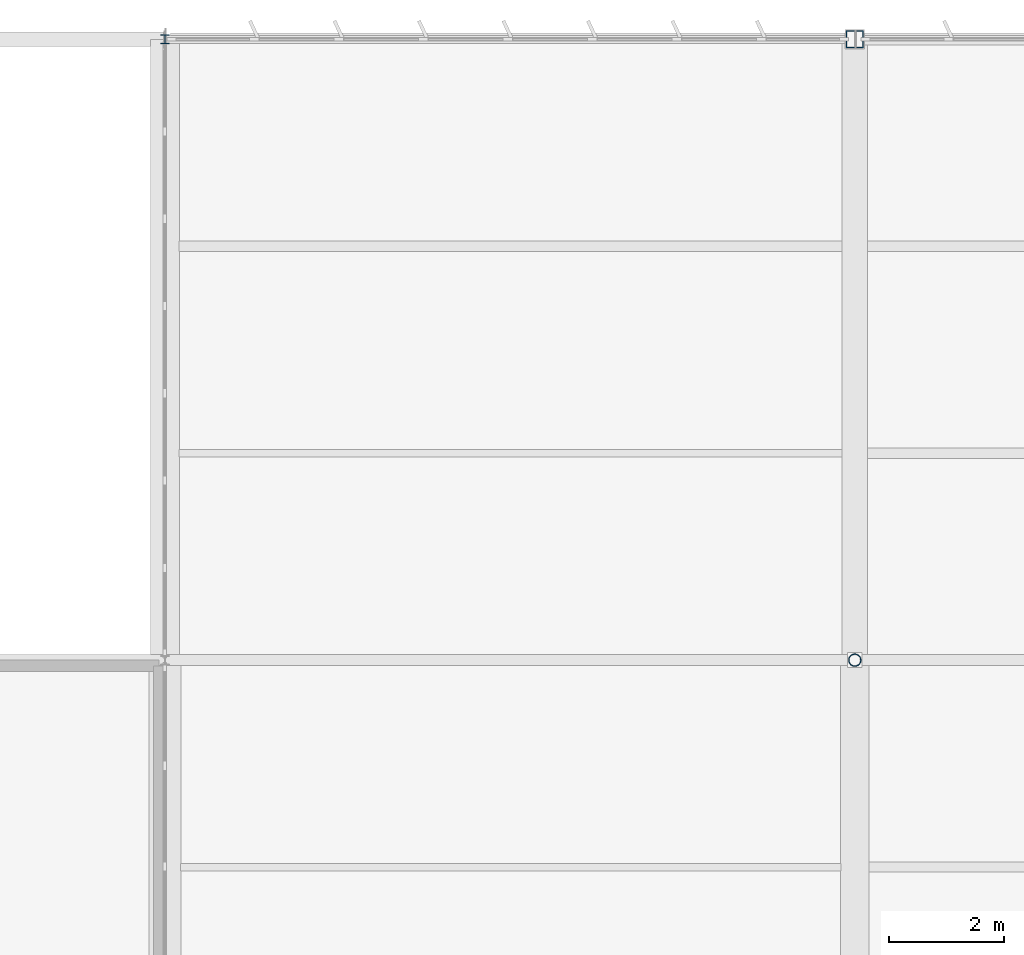
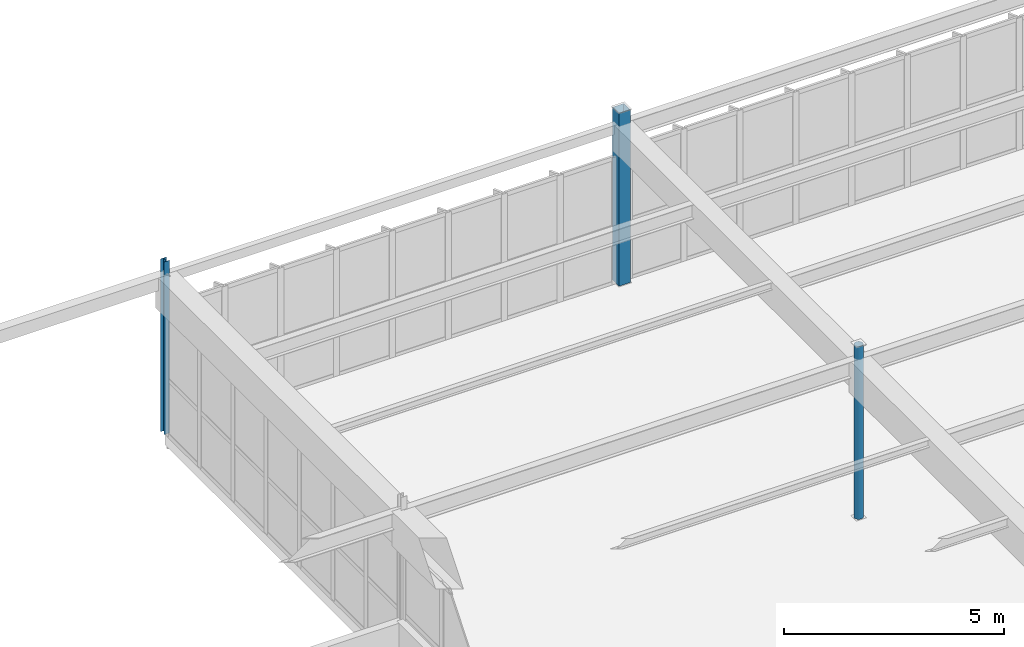
# One storey, part 57 of 226: 3 columns.
"""IFC4 building model written with IfcOpenShell, lengths in metres."""

from ifc_helpers import new_model, si_unit, direction, frame, origin, origin_2d, place, context, subcontext, project, spatial, hollow_rectangle, hollow_circle, i_section, extrude, material, material_profile, profile_set, type_object, element, save


model = new_model("IFC4")

# Units and contexts
model_context = context("Model", 3, precision=1e-05, world=origin(), true_north=direction((0.0, 1.0)))
body_context = subcontext(model_context, "Body", "Model", "MODEL_VIEW")
ifc_project = project(units=[si_unit("LENGTHUNIT", "METRE"), si_unit("AREAUNIT", "SQUARE_METRE"), si_unit("VOLUMEUNIT", "CUBIC_METRE"), si_unit("PLANEANGLEUNIT", "RADIAN"), si_unit("MASSUNIT", "GRAM", prefix="KILO")], contexts=[model_context])

# Site, building, storey
site_placement = place(None, origin())
site = spatial("IfcSite", under=ifc_project, at=site_placement, CompositionType="ELEMENT")
building_placement = place(site_placement, origin())
building = spatial("IfcBuilding", under=site, at=building_placement, Name="Tarnwether General Hospital", CompositionType="ELEMENT")
storey_placement = place(building_placement, frame((0.0, 0.0, 4.800048828125)))
storey = spatial("IfcBuildingStorey", under=building, at=storey_placement, Name="L01", CompositionType="ELEMENT", Elevation=4.800048828125)

# Columns
ifc_material_1 = material(Name="Steel Grade C350L0 (350 MPa)", Category="steel")
ifc_material_profile_1 = material_profile(ifc_material_1, hollow_circle(Radius=0.109619140625, WallThickness=0.010009765625, at=origin_2d()), Name="CHS219.1x10.0")
ifc_profile_set_1 = profile_set([ifc_material_profile_1], Name="Steel Grade C350L0 (350 MPa)")
column_type_1 = type_object("IfcColumnType", Name="COL-13", PredefinedType="COLUMN", material=ifc_profile_set_1)
column_1_placement = place(storey_placement, frame((156.0, 115.199951171875, 0.0), z_axis=(0.0, 0.0, 1.0), x_axis=(0.0, 1.0, 0.0)))
element("IfcColumn", 1, at=column_1_placement, inside=storey, type_object=column_type_1, Name="Column COLG-L01-15600_11520", PredefinedType="COLUMN", context=body_context, shape_type="SweptSolid", body=[
    extrude(hollow_circle(Radius=0.109619140625, WallThickness=0.010009765625, at=origin_2d()), origin(), (0.0, 0.0, 1.0), 4.800048828125),
])
ifc_material_2 = material(Name="Steel Grade C350L0 (350 MPa)", Category="steel")
ifc_material_profile_2 = material_profile(ifc_material_2, hollow_rectangle(XDim=0.300048828125, YDim=0.300048828125, WallThickness=0.012451171875, at=origin_2d()), Name="SHS300x300x12.5")
ifc_profile_set_2 = profile_set([ifc_material_profile_2], Name="Steel Grade C350L0 (350 MPa)")
column_type_2 = type_object("IfcColumnType", Name="COL-30", PredefinedType="COLUMN", material=ifc_profile_set_2)
column_2_placement = place(storey_placement, frame((156.0, 126.0, 0.0), z_axis=(0.0, 0.0, 1.0), x_axis=(0.0, 1.0, 0.0)))
element("IfcColumn", 2, at=column_2_placement, inside=storey, type_object=column_type_2, Name="Column COLG-L01-15600_12600", PredefinedType="COLUMN", context=body_context, shape_type="SweptSolid", body=[
    extrude(hollow_rectangle(XDim=0.300048828125, YDim=0.300048828125, WallThickness=0.012451171875, at=origin_2d()), origin(), (0.0, 0.0, 1.0), 4.800048828125),
])
ifc_material_3 = material(Name="Steel Grade 350 (350 MPa)", Category="steel")
ifc_material_profile_3 = material_profile(ifc_material_3, i_section(OverallWidth=0.152099609375, OverallDepth=0.152099609375, WebThickness=0.006103515625, FlangeThickness=0.0068359375, at=origin_2d()), Name="150UC23.4")
ifc_profile_set_3 = profile_set([ifc_material_profile_3], Name="Steel Grade 350 (350 MPa)")
column_type_3 = type_object("IfcColumnType", Name="COL-32", PredefinedType="COLUMN", material=ifc_profile_set_3)
column_3_placement = place(storey_placement, frame((144.0, 126.0, 0.0), z_axis=(0.0, 0.0, 1.0), x_axis=(1.0, 0.0, 0.0)))
element("IfcColumn", 3, at=column_3_placement, inside=storey, type_object=column_type_3, Name="Column COLG-L01-14400_12600", PredefinedType="COLUMN", context=body_context, shape_type="SweptSolid", body=[
    extrude(i_section(OverallWidth=0.152099609375, OverallDepth=0.152099609375, WebThickness=0.006103515625, FlangeThickness=0.0068359375, at=origin_2d()), origin(), (0.0, 0.0, 1.0), 4.800048828125),
])

save(model, "model.ifc")
